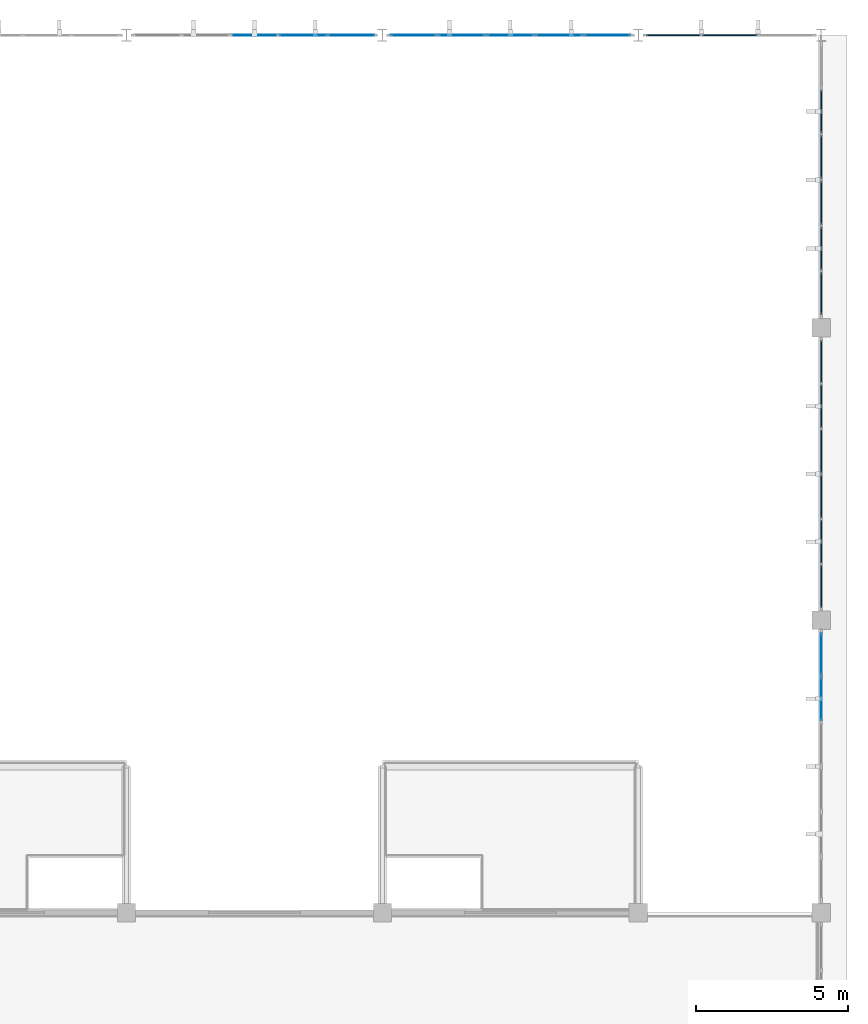
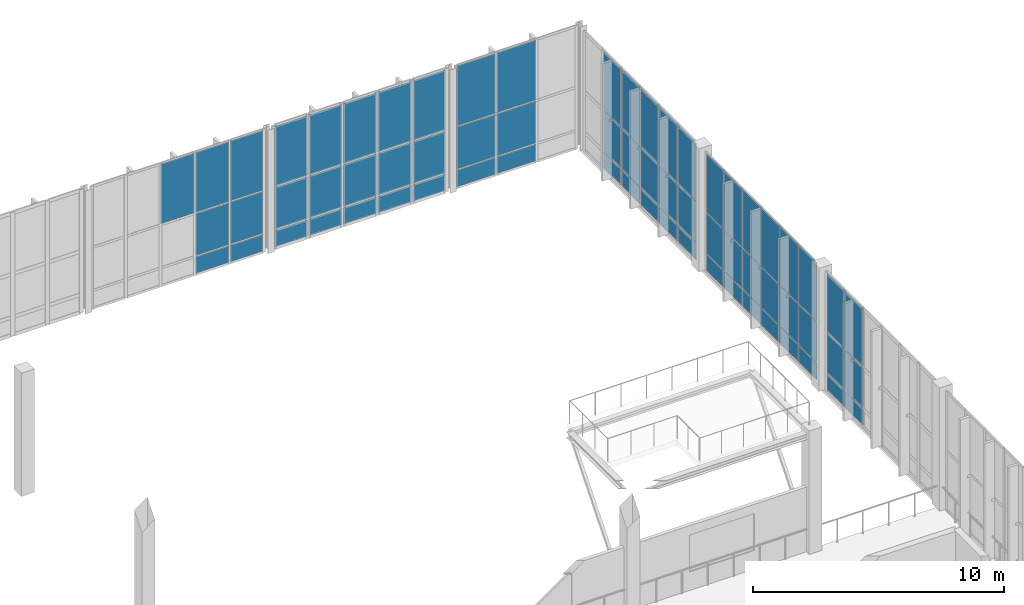
# One storey, part 68 of 105: 67 plates, 6 elements without a shape of their own.
"""IFC4 building model written with IfcOpenShell, lengths in metres."""

from ifc_helpers import new_model, si_unit, direction, frame, origin, origin_2d, place, context, subcontext, project, spatial, rectangle, extrude, material, layer, layer_set, type_object, element, aggregate, save


model = new_model("IFC4")

# Units and contexts
model_context = context("Model", 3, precision=1e-05, world=origin(), true_north=direction((0.0, 1.0)))
body_context = subcontext(model_context, "Body", "Model", "MODEL_VIEW")
ifc_project = project(units=[si_unit("LENGTHUNIT", "METRE"), si_unit("AREAUNIT", "SQUARE_METRE"), si_unit("VOLUMEUNIT", "CUBIC_METRE"), si_unit("PLANEANGLEUNIT", "RADIAN"), si_unit("MASSUNIT", "GRAM", prefix="KILO")], contexts=[model_context])

# Site, building, storey
site_placement = place(None, origin())
site = spatial("IfcSite", under=ifc_project, at=site_placement, CompositionType="ELEMENT")
building_placement = place(site_placement, origin())
building = spatial("IfcBuilding", under=site, at=building_placement, Name="Tizgana Railside Sports Hall", CompositionType="ELEMENT")
storey_placement = place(building_placement, frame((0.0, 0.0, 6.0)))
storey = spatial("IfcBuildingStorey", under=building, at=storey_placement, Name="L01", CompositionType="ELEMENT", Elevation=6.0)

# Curtain wall, plates
ifc_material_1 = material(Name="Anodised aluminium and glass", Category="aluminium")
curtain_wall_type_1 = type_object("IfcCurtainWallType", Name="Unitised Curtain Wall Passage 1800", PredefinedType="NOTDEFINED", material=ifc_material_1)
curtain_wall_1_placement = place(storey_placement, origin())
curtain_wall_1 = element("IfcCurtainWall", 1, at=curtain_wall_1_placement, inside=storey, type_object=curtain_wall_type_1, Name="L01 Curtain Wall CW-0069", PredefinedType="NOTDEFINED")
ifc_material_2 = material(Name="Double low-E laminated glass", Category="glass")
ifc_layer_1 = layer(ifc_material_2, 0.033935546875, Name="Double low-E laminated glass")
ifc_layer_set_1 = layer_set([ifc_layer_1], Name="Double low-E laminated glass")
plate_type_1 = type_object("IfcPlateType", Name="Acoustic Laminated Glazing Panel 34", PredefinedType="CURTAIN_PANEL", material=ifc_layer_set_1)
plate_1_placement = place(storey_placement, frame((172.199951171875, 109.120361328125, 0.06494140625), z_axis=(0.0, 0.0, 1.0), x_axis=(0.0, 1.0, 0.0)))
plate_1 = element("IfcPlate", 2, at=plate_1_placement, type_object=plate_type_1, Name="CW-06 panel 1.1", PredefinedType="CURTAIN_PANEL", context=body_context, shape_type="SweptSolid", body=[
    extrude(rectangle(XDim=1.40087890625, YDim=0.033935546875, at=origin_2d()), origin(), (0.0, 0.0, 1.0), 0.802490234375),
])
plate_2_placement = place(storey_placement, frame((172.199951171875, 109.120361328125, 0.932373046875), z_axis=(0.0, 0.0, 1.0), x_axis=(0.0, 1.0, 0.0)))
plate_2 = element("IfcPlate", 3, at=plate_2_placement, type_object=plate_type_1, Name="CW-06 panel 1.2", PredefinedType="CURTAIN_PANEL", context=body_context, shape_type="SweptSolid", body=[
    extrude(rectangle(XDim=1.40087890625, YDim=0.033935546875, at=origin_2d()), origin(), (0.0, 0.0, 1.0), 1.93505859375),
])
plate_3_placement = place(storey_placement, frame((172.199951171875, 109.120361328125, 2.9326171875), z_axis=(0.0, 0.0, 1.0), x_axis=(0.0, 1.0, 0.0)))
plate_3 = element("IfcPlate", 4, at=plate_3_placement, type_object=plate_type_1, Name="CW-06 panel 1.3", PredefinedType="CURTAIN_PANEL", context=body_context, shape_type="SweptSolid", body=[
    extrude(rectangle(XDim=1.40087890625, YDim=0.033935546875, at=origin_2d()), origin(), (0.0, 0.0, 1.0), 2.802490234375),
])
plate_4_placement = place(storey_placement, frame((172.199951171875, 110.6025390625, 0.06494140625), z_axis=(0.0, 0.0, 1.0), x_axis=(0.0, 1.0, 0.0)))
plate_4 = element("IfcPlate", 5, at=plate_4_placement, type_object=plate_type_1, Name="CW-06 panel 2.1", PredefinedType="CURTAIN_PANEL", context=body_context, shape_type="SweptSolid", body=[
    extrude(rectangle(XDim=1.433349609375, YDim=0.033935546875, at=origin_2d()), origin(), (0.0, 0.0, 1.0), 0.802490234375),
])
plate_5_placement = place(storey_placement, frame((172.199951171875, 110.6025390625, 0.932373046875), z_axis=(0.0, 0.0, 1.0), x_axis=(0.0, 1.0, 0.0)))
plate_5 = element("IfcPlate", 6, at=plate_5_placement, type_object=plate_type_1, Name="CW-06 panel 2.2", PredefinedType="CURTAIN_PANEL", context=body_context, shape_type="SweptSolid", body=[
    extrude(rectangle(XDim=1.433349609375, YDim=0.033935546875, at=origin_2d()), origin(), (0.0, 0.0, 1.0), 1.93505859375),
])
plate_6_placement = place(storey_placement, frame((172.199951171875, 110.6025390625, 2.9326171875), z_axis=(0.0, 0.0, 1.0), x_axis=(0.0, 1.0, 0.0)))
plate_6 = element("IfcPlate", 7, at=plate_6_placement, type_object=plate_type_1, Name="CW-06 panel 2.3", PredefinedType="CURTAIN_PANEL", context=body_context, shape_type="SweptSolid", body=[
    extrude(rectangle(XDim=1.433349609375, YDim=0.033935546875, at=origin_2d()), origin(), (0.0, 0.0, 1.0), 2.802490234375),
])
plate_7_placement = place(storey_placement, frame((172.199951171875, 112.100830078125, 0.06494140625), z_axis=(0.0, 0.0, 1.0), x_axis=(0.0, 1.0, 0.0)))
plate_7 = element("IfcPlate", 8, at=plate_7_placement, type_object=plate_type_1, Name="CW-06 panel 3.1", PredefinedType="CURTAIN_PANEL", context=body_context, shape_type="SweptSolid", body=[
    extrude(rectangle(XDim=1.433349609375, YDim=0.033935546875, at=origin_2d()), origin(), (0.0, 0.0, 1.0), 0.802490234375),
])
plate_8_placement = place(storey_placement, frame((172.199951171875, 112.100830078125, 0.932373046875), z_axis=(0.0, 0.0, 1.0), x_axis=(0.0, 1.0, 0.0)))
plate_8 = element("IfcPlate", 9, at=plate_8_placement, type_object=plate_type_1, Name="CW-06 panel 3.2", PredefinedType="CURTAIN_PANEL", context=body_context, shape_type="SweptSolid", body=[
    extrude(rectangle(XDim=1.433349609375, YDim=0.033935546875, at=origin_2d()), origin(), (0.0, 0.0, 1.0), 1.93505859375),
])
plate_9_placement = place(storey_placement, frame((172.199951171875, 112.100830078125, 2.9326171875), z_axis=(0.0, 0.0, 1.0), x_axis=(0.0, 1.0, 0.0)))
plate_9 = element("IfcPlate", 10, at=plate_9_placement, type_object=plate_type_1, Name="CW-06 panel 3.3", PredefinedType="CURTAIN_PANEL", context=body_context, shape_type="SweptSolid", body=[
    extrude(rectangle(XDim=1.433349609375, YDim=0.033935546875, at=origin_2d()), origin(), (0.0, 0.0, 1.0), 2.802490234375),
])
plate_10_placement = place(storey_placement, frame((172.199951171875, 113.59912109375, 0.06494140625), z_axis=(0.0, 0.0, 1.0), x_axis=(0.0, 1.0, 0.0)))
plate_10 = element("IfcPlate", 11, at=plate_10_placement, type_object=plate_type_1, Name="CW-06 panel 4.1", PredefinedType="CURTAIN_PANEL", context=body_context, shape_type="SweptSolid", body=[
    extrude(rectangle(XDim=1.433349609375, YDim=0.033935546875, at=origin_2d()), origin(), (0.0, 0.0, 1.0), 0.802490234375),
])
plate_11_placement = place(storey_placement, frame((172.199951171875, 113.59912109375, 0.932373046875), z_axis=(0.0, 0.0, 1.0), x_axis=(0.0, 1.0, 0.0)))
plate_11 = element("IfcPlate", 12, at=plate_11_placement, type_object=plate_type_1, Name="CW-06 panel 4.2", PredefinedType="CURTAIN_PANEL", context=body_context, shape_type="SweptSolid", body=[
    extrude(rectangle(XDim=1.433349609375, YDim=0.033935546875, at=origin_2d()), origin(), (0.0, 0.0, 1.0), 1.93505859375),
])
plate_12_placement = place(storey_placement, frame((172.199951171875, 113.59912109375, 2.9326171875), z_axis=(0.0, 0.0, 1.0), x_axis=(0.0, 1.0, 0.0)))
plate_12 = element("IfcPlate", 13, at=plate_12_placement, type_object=plate_type_1, Name="CW-06 panel 4.3", PredefinedType="CURTAIN_PANEL", context=body_context, shape_type="SweptSolid", body=[
    extrude(rectangle(XDim=1.433349609375, YDim=0.033935546875, at=origin_2d()), origin(), (0.0, 0.0, 1.0), 2.802490234375),
])
plate_13_placement = place(storey_placement, frame((172.199951171875, 115.097412109375, 0.06494140625), z_axis=(0.0, 0.0, 1.0), x_axis=(0.0, 1.0, 0.0)))
plate_13 = element("IfcPlate", 14, at=plate_13_placement, type_object=plate_type_1, Name="CW-06 panel 5.1", PredefinedType="CURTAIN_PANEL", context=body_context, shape_type="SweptSolid", body=[
    extrude(rectangle(XDim=1.433349609375, YDim=0.033935546875, at=origin_2d()), origin(), (0.0, 0.0, 1.0), 0.802490234375),
])
plate_14_placement = place(storey_placement, frame((172.199951171875, 115.097412109375, 0.932373046875), z_axis=(0.0, 0.0, 1.0), x_axis=(0.0, 1.0, 0.0)))
plate_14 = element("IfcPlate", 15, at=plate_14_placement, type_object=plate_type_1, Name="CW-06 panel 5.2", PredefinedType="CURTAIN_PANEL", context=body_context, shape_type="SweptSolid", body=[
    extrude(rectangle(XDim=1.433349609375, YDim=0.033935546875, at=origin_2d()), origin(), (0.0, 0.0, 1.0), 1.93505859375),
])
plate_15_placement = place(storey_placement, frame((172.199951171875, 115.097412109375, 2.9326171875), z_axis=(0.0, 0.0, 1.0), x_axis=(0.0, 1.0, 0.0)))
plate_15 = element("IfcPlate", 16, at=plate_15_placement, type_object=plate_type_1, Name="CW-06 panel 5.3", PredefinedType="CURTAIN_PANEL", context=body_context, shape_type="SweptSolid", body=[
    extrude(rectangle(XDim=1.433349609375, YDim=0.033935546875, at=origin_2d()), origin(), (0.0, 0.0, 1.0), 2.802490234375),
])
aggregate(curtain_wall_1, [plate_1, plate_2, plate_3, plate_4, plate_5, plate_6, plate_7, plate_8, plate_9, plate_10, plate_11, plate_12, plate_13, plate_14, plate_15])

curtain_wall_type_2 = type_object("IfcCurtainWallType", Name="Unitised Curtain Wall WestHall 1560", PredefinedType="NOTDEFINED", material=ifc_material_1)
curtain_wall_2_placement = place(storey_placement, origin())
curtain_wall_2 = element("IfcCurtainWall", 17, at=curtain_wall_2_placement, inside=storey, type_object=curtain_wall_type_2, Name="L01 Curtain Wall CW-0054", PredefinedType="NOTDEFINED")
ifc_layer_2 = layer(ifc_material_2, 0.0400390625, Name="Double low-E laminated glass")
ifc_layer_set_2 = layer_set([ifc_layer_2], Name="Double low-E laminated glass")
plate_type_2 = type_object("IfcPlateType", Name="High-Span Tempered Glazing Panel 40", PredefinedType="CURTAIN_PANEL", material=ifc_layer_set_2)
plate_16_placement = place(storey_placement, frame((167.3515625, 117.60009765625, 0.06005859375), z_axis=(0.0, 0.0, 1.0), x_axis=(1.0, 0.0, 0.0)))
plate_16 = element("IfcPlate", 18, at=plate_16_placement, type_object=plate_type_2, Name="CW-07 panel 1.1", PredefinedType="CURTAIN_PANEL", context=body_context, shape_type="SweptSolid", body=[
    extrude(rectangle(XDim=1.7734375, YDim=0.0400390625, at=origin_2d()), origin(), (0.0, 0.0, 1.0), 0.81005859375),
])
plate_17_placement = place(storey_placement, frame((167.3515625, 117.60009765625, 0.929931640625), z_axis=(0.0, 0.0, 1.0), x_axis=(1.0, 0.0, 0.0)))
plate_17 = element("IfcPlate", 19, at=plate_17_placement, type_object=plate_type_2, Name="CW-07 panel 1.2", PredefinedType="CURTAIN_PANEL", context=body_context, shape_type="SweptSolid", body=[
    extrude(rectangle(XDim=1.7734375, YDim=0.0400390625, at=origin_2d()), origin(), (0.0, 0.0, 1.0), 2.0400390625),
])
plate_18_placement = place(storey_placement, frame((167.3515625, 117.60009765625, 3.0302734375), z_axis=(0.0, 0.0, 1.0), x_axis=(1.0, 0.0, 0.0)))
plate_18 = element("IfcPlate", 20, at=plate_18_placement, type_object=plate_type_2, Name="CW-07 panel 1.3", PredefinedType="CURTAIN_PANEL", context=body_context, shape_type="SweptSolid", body=[
    extrude(rectangle(XDim=1.7734375, YDim=0.0400390625, at=origin_2d()), origin(), (0.0, 0.0, 1.0), 2.909912109375),
])
plate_19_placement = place(storey_placement, frame((169.199951171875, 117.60009765625, 0.06005859375), z_axis=(0.0, 0.0, 1.0), x_axis=(1.0, 0.0, 0.0)))
plate_19 = element("IfcPlate", 21, at=plate_19_placement, type_object=plate_type_2, Name="CW-07 panel 2.1", PredefinedType="CURTAIN_PANEL", context=body_context, shape_type="SweptSolid", body=[
    extrude(rectangle(XDim=1.80322265625, YDim=0.0400390625, at=origin_2d()), origin(), (0.0, 0.0, 1.0), 0.81005859375),
])
plate_20_placement = place(storey_placement, frame((169.199951171875, 117.60009765625, 0.929931640625), z_axis=(0.0, 0.0, 1.0), x_axis=(1.0, 0.0, 0.0)))
plate_20 = element("IfcPlate", 22, at=plate_20_placement, type_object=plate_type_2, Name="CW-07 panel 2.2", PredefinedType="CURTAIN_PANEL", context=body_context, shape_type="SweptSolid", body=[
    extrude(rectangle(XDim=1.80322265625, YDim=0.0400390625, at=origin_2d()), origin(), (0.0, 0.0, 1.0), 2.0400390625),
])
plate_21_placement = place(storey_placement, frame((169.199951171875, 117.60009765625, 3.0302734375), z_axis=(0.0, 0.0, 1.0), x_axis=(1.0, 0.0, 0.0)))
plate_21 = element("IfcPlate", 23, at=plate_21_placement, type_object=plate_type_2, Name="CW-07 panel 2.3", PredefinedType="CURTAIN_PANEL", context=body_context, shape_type="SweptSolid", body=[
    extrude(rectangle(XDim=1.80322265625, YDim=0.0400390625, at=origin_2d()), origin(), (0.0, 0.0, 1.0), 2.909912109375),
])
aggregate(curtain_wall_2, [plate_16, plate_17, plate_18, plate_19, plate_20, plate_21])

curtain_wall_type_3 = type_object("IfcCurtainWallType", Name="Unitised Curtain Wall Studio 1400", PredefinedType="NOTDEFINED", material=ifc_material_1)
curtain_wall_3_placement = place(storey_placement, origin())
curtain_wall_3 = element("IfcCurtainWall", 24, at=curtain_wall_3_placement, inside=storey, type_object=curtain_wall_type_3, Name="L01 Curtain Wall CW-0066", PredefinedType="NOTDEFINED")
plate_22_placement = place(storey_placement, frame((172.199951171875, 99.5107421875, 0.06005859375), z_axis=(0.0, 0.0, 1.0), x_axis=(0.0, 1.0, 0.0)))
plate_22 = element("IfcPlate", 25, at=plate_22_placement, type_object=plate_type_2, Name="CW-03 panel 1.1", PredefinedType="CURTAIN_PANEL", context=body_context, shape_type="SweptSolid", body=[
    extrude(rectangle(XDim=1.3916015625, YDim=0.0400390625, at=origin_2d()), origin(), (0.0, 0.0, 1.0), 0.81005859375),
])
plate_23_placement = place(storey_placement, frame((172.199951171875, 99.5107421875, 0.929931640625), z_axis=(0.0, 0.0, 1.0), x_axis=(0.0, 1.0, 0.0)))
plate_23 = element("IfcPlate", 26, at=plate_23_placement, type_object=plate_type_2, Name="CW-03 panel 1.2", PredefinedType="CURTAIN_PANEL", context=body_context, shape_type="SweptSolid", body=[
    extrude(rectangle(XDim=1.3916015625, YDim=0.0400390625, at=origin_2d()), origin(), (0.0, 0.0, 1.0), 1.93994140625),
])
plate_24_placement = place(storey_placement, frame((172.199951171875, 99.5107421875, 2.929931640625), z_axis=(0.0, 0.0, 1.0), x_axis=(0.0, 1.0, 0.0)))
plate_24 = element("IfcPlate", 27, at=plate_24_placement, type_object=plate_type_2, Name="CW-03 panel 1.3", PredefinedType="CURTAIN_PANEL", context=body_context, shape_type="SweptSolid", body=[
    extrude(rectangle(XDim=1.3916015625, YDim=0.0400390625, at=origin_2d()), origin(), (0.0, 0.0, 1.0), 2.81005859375),
])
plate_25_placement = place(storey_placement, frame((172.199951171875, 100.9775390625, 0.06005859375), z_axis=(0.0, 0.0, 1.0), x_axis=(0.0, 1.0, 0.0)))
plate_25 = element("IfcPlate", 28, at=plate_25_placement, type_object=plate_type_2, Name="CW-03 panel 2.1", PredefinedType="CURTAIN_PANEL", context=body_context, shape_type="SweptSolid", body=[
    extrude(rectangle(XDim=1.421630859375, YDim=0.0400390625, at=origin_2d()), origin(), (0.0, 0.0, 1.0), 0.81005859375),
])
plate_26_placement = place(storey_placement, frame((172.199951171875, 100.9775390625, 0.929931640625), z_axis=(0.0, 0.0, 1.0), x_axis=(0.0, 1.0, 0.0)))
plate_26 = element("IfcPlate", 29, at=plate_26_placement, type_object=plate_type_2, Name="CW-03 panel 2.2", PredefinedType="CURTAIN_PANEL", context=body_context, shape_type="SweptSolid", body=[
    extrude(rectangle(XDim=1.421630859375, YDim=0.0400390625, at=origin_2d()), origin(), (0.0, 0.0, 1.0), 1.93994140625),
])
plate_27_placement = place(storey_placement, frame((172.199951171875, 100.9775390625, 2.929931640625), z_axis=(0.0, 0.0, 1.0), x_axis=(0.0, 1.0, 0.0)))
plate_27 = element("IfcPlate", 30, at=plate_27_placement, type_object=plate_type_2, Name="CW-03 panel 2.3", PredefinedType="CURTAIN_PANEL", context=body_context, shape_type="SweptSolid", body=[
    extrude(rectangle(XDim=1.421630859375, YDim=0.0400390625, at=origin_2d()), origin(), (0.0, 0.0, 1.0), 2.81005859375),
])
plate_28_placement = place(storey_placement, frame((172.199951171875, 102.459228515625, 0.06005859375), z_axis=(0.0, 0.0, 1.0), x_axis=(0.0, 1.0, 0.0)))
plate_28 = element("IfcPlate", 31, at=plate_28_placement, type_object=plate_type_2, Name="CW-03 panel 3.1", PredefinedType="CURTAIN_PANEL", context=body_context, shape_type="SweptSolid", body=[
    extrude(rectangle(XDim=1.421630859375, YDim=0.0400390625, at=origin_2d()), origin(), (0.0, 0.0, 1.0), 0.81005859375),
])
plate_29_placement = place(storey_placement, frame((172.199951171875, 102.459228515625, 0.929931640625), z_axis=(0.0, 0.0, 1.0), x_axis=(0.0, 1.0, 0.0)))
plate_29 = element("IfcPlate", 32, at=plate_29_placement, type_object=plate_type_2, Name="CW-03 panel 3.2", PredefinedType="CURTAIN_PANEL", context=body_context, shape_type="SweptSolid", body=[
    extrude(rectangle(XDim=1.421630859375, YDim=0.0400390625, at=origin_2d()), origin(), (0.0, 0.0, 1.0), 1.93994140625),
])
plate_30_placement = place(storey_placement, frame((172.199951171875, 102.459228515625, 2.929931640625), z_axis=(0.0, 0.0, 1.0), x_axis=(0.0, 1.0, 0.0)))
plate_30 = element("IfcPlate", 33, at=plate_30_placement, type_object=plate_type_2, Name="CW-03 panel 3.3", PredefinedType="CURTAIN_PANEL", context=body_context, shape_type="SweptSolid", body=[
    extrude(rectangle(XDim=1.421630859375, YDim=0.0400390625, at=origin_2d()), origin(), (0.0, 0.0, 1.0), 2.81005859375),
])
plate_31_placement = place(storey_placement, frame((172.199951171875, 103.94091796875, 0.06005859375), z_axis=(0.0, 0.0, 1.0), x_axis=(0.0, 1.0, 0.0)))
plate_31 = element("IfcPlate", 34, at=plate_31_placement, type_object=plate_type_2, Name="CW-03 panel 4.1", PredefinedType="CURTAIN_PANEL", context=body_context, shape_type="SweptSolid", body=[
    extrude(rectangle(XDim=1.421630859375, YDim=0.0400390625, at=origin_2d()), origin(), (0.0, 0.0, 1.0), 0.81005859375),
])
plate_32_placement = place(storey_placement, frame((172.199951171875, 103.94091796875, 0.929931640625), z_axis=(0.0, 0.0, 1.0), x_axis=(0.0, 1.0, 0.0)))
plate_32 = element("IfcPlate", 35, at=plate_32_placement, type_object=plate_type_2, Name="CW-03 panel 4.2", PredefinedType="CURTAIN_PANEL", context=body_context, shape_type="SweptSolid", body=[
    extrude(rectangle(XDim=1.421630859375, YDim=0.0400390625, at=origin_2d()), origin(), (0.0, 0.0, 1.0), 1.93994140625),
])
plate_33_placement = place(storey_placement, frame((172.199951171875, 103.94091796875, 2.929931640625), z_axis=(0.0, 0.0, 1.0), x_axis=(0.0, 1.0, 0.0)))
plate_33 = element("IfcPlate", 36, at=plate_33_placement, type_object=plate_type_2, Name="CW-03 panel 4.3", PredefinedType="CURTAIN_PANEL", context=body_context, shape_type="SweptSolid", body=[
    extrude(rectangle(XDim=1.421630859375, YDim=0.0400390625, at=origin_2d()), origin(), (0.0, 0.0, 1.0), 2.81005859375),
])
plate_34_placement = place(storey_placement, frame((172.199951171875, 105.422607421875, 0.06005859375), z_axis=(0.0, 0.0, 1.0), x_axis=(0.0, 1.0, 0.0)))
plate_34 = element("IfcPlate", 37, at=plate_34_placement, type_object=plate_type_2, Name="CW-03 panel 5.1", PredefinedType="CURTAIN_PANEL", context=body_context, shape_type="SweptSolid", body=[
    extrude(rectangle(XDim=1.421630859375, YDim=0.0400390625, at=origin_2d()), origin(), (0.0, 0.0, 1.0), 0.81005859375),
])
plate_35_placement = place(storey_placement, frame((172.199951171875, 105.422607421875, 0.929931640625), z_axis=(0.0, 0.0, 1.0), x_axis=(0.0, 1.0, 0.0)))
plate_35 = element("IfcPlate", 38, at=plate_35_placement, type_object=plate_type_2, Name="CW-03 panel 5.2", PredefinedType="CURTAIN_PANEL", context=body_context, shape_type="SweptSolid", body=[
    extrude(rectangle(XDim=1.421630859375, YDim=0.0400390625, at=origin_2d()), origin(), (0.0, 0.0, 1.0), 1.93994140625),
])
plate_36_placement = place(storey_placement, frame((172.199951171875, 105.422607421875, 2.929931640625), z_axis=(0.0, 0.0, 1.0), x_axis=(0.0, 1.0, 0.0)))
plate_36 = element("IfcPlate", 39, at=plate_36_placement, type_object=plate_type_2, Name="CW-03 panel 5.3", PredefinedType="CURTAIN_PANEL", context=body_context, shape_type="SweptSolid", body=[
    extrude(rectangle(XDim=1.421630859375, YDim=0.0400390625, at=origin_2d()), origin(), (0.0, 0.0, 1.0), 2.81005859375),
])
plate_37_placement = place(storey_placement, frame((172.199951171875, 106.88916015625, 0.06005859375), z_axis=(0.0, 0.0, 1.0), x_axis=(0.0, 1.0, 0.0)))
plate_37 = element("IfcPlate", 40, at=plate_37_placement, type_object=plate_type_2, Name="CW-03 panel 6.1", PredefinedType="CURTAIN_PANEL", context=body_context, shape_type="SweptSolid", body=[
    extrude(rectangle(XDim=1.3916015625, YDim=0.0400390625, at=origin_2d()), origin(), (0.0, 0.0, 1.0), 0.81005859375),
])
plate_38_placement = place(storey_placement, frame((172.199951171875, 106.88916015625, 0.929931640625), z_axis=(0.0, 0.0, 1.0), x_axis=(0.0, 1.0, 0.0)))
plate_38 = element("IfcPlate", 41, at=plate_38_placement, type_object=plate_type_2, Name="CW-03 panel 6.2", PredefinedType="CURTAIN_PANEL", context=body_context, shape_type="SweptSolid", body=[
    extrude(rectangle(XDim=1.3916015625, YDim=0.0400390625, at=origin_2d()), origin(), (0.0, 0.0, 1.0), 1.93994140625),
])
plate_39_placement = place(storey_placement, frame((172.199951171875, 106.88916015625, 2.929931640625), z_axis=(0.0, 0.0, 1.0), x_axis=(0.0, 1.0, 0.0)))
plate_39 = element("IfcPlate", 42, at=plate_39_placement, type_object=plate_type_2, Name="CW-03 panel 6.3", PredefinedType="CURTAIN_PANEL", context=body_context, shape_type="SweptSolid", body=[
    extrude(rectangle(XDim=1.3916015625, YDim=0.0400390625, at=origin_2d()), origin(), (0.0, 0.0, 1.0), 2.81005859375),
])
aggregate(curtain_wall_3, [plate_22, plate_23, plate_24, plate_25, plate_26, plate_27, plate_28, plate_29, plate_30, plate_31, plate_32, plate_33, plate_34, plate_35, plate_36, plate_37, plate_38, plate_39])

curtain_wall_type_4 = type_object("IfcCurtainWallType", Name="Unitised Curtain Wall Climbing 1600", PredefinedType="NOTDEFINED", material=ifc_material_1)
curtain_wall_4_placement = place(storey_placement, origin())
curtain_wall_4 = element("IfcCurtainWall", 43, at=curtain_wall_4_placement, inside=storey, type_object=curtain_wall_type_4, Name="L01 Curtain Wall CW-0051", PredefinedType="NOTDEFINED")
ifc_layer_3 = layer(ifc_material_2, 0.031982421875, Name="Double low-E laminated glass")
ifc_layer_set_3 = layer_set([ifc_layer_3], Name="Double low-E laminated glass")
plate_type_3 = type_object("IfcPlateType", Name="North-Light Clerestory Glazing Panel 32", PredefinedType="CURTAIN_PANEL", material=ifc_layer_set_3)
plate_40_placement = place(storey_placement, frame((158.8203125, 117.60009765625, 0.06494140625), z_axis=(0.0, 0.0, 1.0), x_axis=(1.0, 0.0, 0.0)))
plate_40 = element("IfcPlate", 44, at=plate_40_placement, type_object=plate_type_3, Name="CW-04 panel 1.1", PredefinedType="CURTAIN_PANEL", context=body_context, shape_type="SweptSolid", body=[
    extrude(rectangle(XDim=1.50048828125, YDim=0.031982421875, at=origin_2d()), origin(), (0.0, 0.0, 1.0), 0.802490234375),
])
plate_41_placement = place(storey_placement, frame((158.8203125, 117.60009765625, 0.9326171875), z_axis=(0.0, 0.0, 1.0), x_axis=(1.0, 0.0, 0.0)))
plate_41 = element("IfcPlate", 45, at=plate_41_placement, type_object=plate_type_3, Name="CW-04 panel 1.2", PredefinedType="CURTAIN_PANEL", context=body_context, shape_type="SweptSolid", body=[
    extrude(rectangle(XDim=1.50048828125, YDim=0.031982421875, at=origin_2d()), origin(), (0.0, 0.0, 1.0), 2.034912109375),
])
plate_42_placement = place(storey_placement, frame((158.8203125, 117.60009765625, 3.0322265625), z_axis=(0.0, 0.0, 1.0), x_axis=(1.0, 0.0, 0.0)))
plate_42 = element("IfcPlate", 46, at=plate_42_placement, type_object=plate_type_3, Name="CW-04 panel 1.3", PredefinedType="CURTAIN_PANEL", context=body_context, shape_type="SweptSolid", body=[
    extrude(rectangle(XDim=1.50048828125, YDim=0.031982421875, at=origin_2d()), origin(), (0.0, 0.0, 1.0), 2.902587890625),
])
plate_43_placement = place(storey_placement, frame((160.402099609375, 117.60009765625, 0.06494140625), z_axis=(0.0, 0.0, 1.0), x_axis=(1.0, 0.0, 0.0)))
plate_43 = element("IfcPlate", 47, at=plate_43_placement, type_object=plate_type_3, Name="CW-04 panel 2.1", PredefinedType="CURTAIN_PANEL", context=body_context, shape_type="SweptSolid", body=[
    extrude(rectangle(XDim=1.532958984375, YDim=0.031982421875, at=origin_2d()), origin(), (0.0, 0.0, 1.0), 0.802490234375),
])
plate_44_placement = place(storey_placement, frame((160.402099609375, 117.60009765625, 0.9326171875), z_axis=(0.0, 0.0, 1.0), x_axis=(1.0, 0.0, 0.0)))
plate_44 = element("IfcPlate", 48, at=plate_44_placement, type_object=plate_type_3, Name="CW-04 panel 2.2", PredefinedType="CURTAIN_PANEL", context=body_context, shape_type="SweptSolid", body=[
    extrude(rectangle(XDim=1.532958984375, YDim=0.031982421875, at=origin_2d()), origin(), (0.0, 0.0, 1.0), 2.034912109375),
])
plate_45_placement = place(storey_placement, frame((160.402099609375, 117.60009765625, 3.0322265625), z_axis=(0.0, 0.0, 1.0), x_axis=(1.0, 0.0, 0.0)))
plate_45 = element("IfcPlate", 49, at=plate_45_placement, type_object=plate_type_3, Name="CW-04 panel 2.3", PredefinedType="CURTAIN_PANEL", context=body_context, shape_type="SweptSolid", body=[
    extrude(rectangle(XDim=1.532958984375, YDim=0.031982421875, at=origin_2d()), origin(), (0.0, 0.0, 1.0), 2.902587890625),
])
plate_46_placement = place(storey_placement, frame((162.0, 117.60009765625, 0.06494140625), z_axis=(0.0, 0.0, 1.0), x_axis=(1.0, 0.0, 0.0)))
plate_46 = element("IfcPlate", 50, at=plate_46_placement, type_object=plate_type_3, Name="CW-04 panel 3.1", PredefinedType="CURTAIN_PANEL", context=body_context, shape_type="SweptSolid", body=[
    extrude(rectangle(XDim=1.532958984375, YDim=0.031982421875, at=origin_2d()), origin(), (0.0, 0.0, 1.0), 0.802490234375),
])
plate_47_placement = place(storey_placement, frame((162.0, 117.60009765625, 0.9326171875), z_axis=(0.0, 0.0, 1.0), x_axis=(1.0, 0.0, 0.0)))
plate_47 = element("IfcPlate", 51, at=plate_47_placement, type_object=plate_type_3, Name="CW-04 panel 3.2", PredefinedType="CURTAIN_PANEL", context=body_context, shape_type="SweptSolid", body=[
    extrude(rectangle(XDim=1.532958984375, YDim=0.031982421875, at=origin_2d()), origin(), (0.0, 0.0, 1.0), 2.034912109375),
])
plate_48_placement = place(storey_placement, frame((162.0, 117.60009765625, 3.0322265625), z_axis=(0.0, 0.0, 1.0), x_axis=(1.0, 0.0, 0.0)))
plate_48 = element("IfcPlate", 52, at=plate_48_placement, type_object=plate_type_3, Name="CW-04 panel 3.3", PredefinedType="CURTAIN_PANEL", context=body_context, shape_type="SweptSolid", body=[
    extrude(rectangle(XDim=1.532958984375, YDim=0.031982421875, at=origin_2d()), origin(), (0.0, 0.0, 1.0), 2.902587890625),
])
plate_49_placement = place(storey_placement, frame((163.597900390625, 117.60009765625, 0.06494140625), z_axis=(0.0, 0.0, 1.0), x_axis=(1.0, 0.0, 0.0)))
plate_49 = element("IfcPlate", 53, at=plate_49_placement, type_object=plate_type_3, Name="CW-04 panel 4.1", PredefinedType="CURTAIN_PANEL", context=body_context, shape_type="SweptSolid", body=[
    extrude(rectangle(XDim=1.532958984375, YDim=0.031982421875, at=origin_2d()), origin(), (0.0, 0.0, 1.0), 0.802490234375),
])
plate_50_placement = place(storey_placement, frame((163.597900390625, 117.60009765625, 0.9326171875), z_axis=(0.0, 0.0, 1.0), x_axis=(1.0, 0.0, 0.0)))
plate_50 = element("IfcPlate", 54, at=plate_50_placement, type_object=plate_type_3, Name="CW-04 panel 4.2", PredefinedType="CURTAIN_PANEL", context=body_context, shape_type="SweptSolid", body=[
    extrude(rectangle(XDim=1.532958984375, YDim=0.031982421875, at=origin_2d()), origin(), (0.0, 0.0, 1.0), 2.034912109375),
])
plate_51_placement = place(storey_placement, frame((163.597900390625, 117.60009765625, 3.0322265625), z_axis=(0.0, 0.0, 1.0), x_axis=(1.0, 0.0, 0.0)))
plate_51 = element("IfcPlate", 55, at=plate_51_placement, type_object=plate_type_3, Name="CW-04 panel 4.3", PredefinedType="CURTAIN_PANEL", context=body_context, shape_type="SweptSolid", body=[
    extrude(rectangle(XDim=1.532958984375, YDim=0.031982421875, at=origin_2d()), origin(), (0.0, 0.0, 1.0), 2.902587890625),
])
plate_52_placement = place(storey_placement, frame((165.1796875, 117.60009765625, 0.06494140625), z_axis=(0.0, 0.0, 1.0), x_axis=(1.0, 0.0, 0.0)))
plate_52 = element("IfcPlate", 56, at=plate_52_placement, type_object=plate_type_3, Name="CW-04 panel 5.1", PredefinedType="CURTAIN_PANEL", context=body_context, shape_type="SweptSolid", body=[
    extrude(rectangle(XDim=1.50048828125, YDim=0.031982421875, at=origin_2d()), origin(), (0.0, 0.0, 1.0), 0.802490234375),
])
plate_53_placement = place(storey_placement, frame((165.1796875, 117.60009765625, 0.9326171875), z_axis=(0.0, 0.0, 1.0), x_axis=(1.0, 0.0, 0.0)))
plate_53 = element("IfcPlate", 57, at=plate_53_placement, type_object=plate_type_3, Name="CW-04 panel 5.2", PredefinedType="CURTAIN_PANEL", context=body_context, shape_type="SweptSolid", body=[
    extrude(rectangle(XDim=1.50048828125, YDim=0.031982421875, at=origin_2d()), origin(), (0.0, 0.0, 1.0), 2.034912109375),
])
plate_54_placement = place(storey_placement, frame((165.1796875, 117.60009765625, 3.0322265625), z_axis=(0.0, 0.0, 1.0), x_axis=(1.0, 0.0, 0.0)))
plate_54 = element("IfcPlate", 58, at=plate_54_placement, type_object=plate_type_3, Name="CW-04 panel 5.3", PredefinedType="CURTAIN_PANEL", context=body_context, shape_type="SweptSolid", body=[
    extrude(rectangle(XDim=1.50048828125, YDim=0.031982421875, at=origin_2d()), origin(), (0.0, 0.0, 1.0), 2.902587890625),
])
aggregate(curtain_wall_4, [plate_40, plate_41, plate_42, plate_43, plate_44, plate_45, plate_46, plate_47, plate_48, plate_49, plate_50, plate_51, plate_52, plate_53, plate_54])

curtain_wall_type_5 = type_object("IfcCurtainWallType", Name="Unitised Curtain Wall EastHall 1500", PredefinedType="NOTDEFINED", material=ifc_material_1)
curtain_wall_5_placement = place(storey_placement, origin())
curtain_wall_5 = element("IfcCurtainWall", 59, at=curtain_wall_5_placement, inside=storey, type_object=curtain_wall_type_5, Name="L01 Curtain Wall CW-0063", PredefinedType="NOTDEFINED")
plate_55_placement = place(storey_placement, frame((172.199951171875, 95.822509765625, 0.06494140625), z_axis=(0.0, 0.0, 1.0), x_axis=(0.0, 1.0, 0.0)))
plate_55 = element("IfcPlate", 60, at=plate_55_placement, type_object=plate_type_3, Name="CW-08 panel 5.1", PredefinedType="CURTAIN_PANEL", context=body_context, shape_type="SweptSolid", body=[
    extrude(rectangle(XDim=1.416748046875, YDim=0.031982421875, at=origin_2d()), origin(), (0.0, 0.0, 1.0), 0.802490234375),
])
plate_56_placement = place(storey_placement, frame((172.199951171875, 95.822509765625, 0.932373046875), z_axis=(0.0, 0.0, 1.0), x_axis=(0.0, 1.0, 0.0)))
plate_56 = element("IfcPlate", 61, at=plate_56_placement, type_object=plate_type_3, Name="CW-08 panel 5.2", PredefinedType="CURTAIN_PANEL", context=body_context, shape_type="SweptSolid", body=[
    extrude(rectangle(XDim=1.416748046875, YDim=0.031982421875, at=origin_2d()), origin(), (0.0, 0.0, 1.0), 1.93505859375),
])
plate_57_placement = place(storey_placement, frame((172.199951171875, 95.822509765625, 2.9326171875), z_axis=(0.0, 0.0, 1.0), x_axis=(0.0, 1.0, 0.0)))
plate_57 = element("IfcPlate", 62, at=plate_57_placement, type_object=plate_type_3, Name="CW-08 panel 5.3", PredefinedType="CURTAIN_PANEL", context=body_context, shape_type="SweptSolid", body=[
    extrude(rectangle(XDim=1.416748046875, YDim=0.031982421875, at=origin_2d()), origin(), (0.0, 0.0, 1.0), 2.802490234375),
])
plate_58_placement = place(storey_placement, frame((172.199951171875, 97.287841796875, 0.06494140625), z_axis=(0.0, 0.0, 1.0), x_axis=(0.0, 1.0, 0.0)))
plate_58 = element("IfcPlate", 63, at=plate_58_placement, type_object=plate_type_3, Name="CW-08 panel 6.1", PredefinedType="CURTAIN_PANEL", context=body_context, shape_type="SweptSolid", body=[
    extrude(rectangle(XDim=1.38427734375, YDim=0.031982421875, at=origin_2d()), origin(), (0.0, 0.0, 1.0), 0.802490234375),
])
plate_59_placement = place(storey_placement, frame((172.199951171875, 97.287841796875, 0.932373046875), z_axis=(0.0, 0.0, 1.0), x_axis=(0.0, 1.0, 0.0)))
plate_59 = element("IfcPlate", 64, at=plate_59_placement, type_object=plate_type_3, Name="CW-08 panel 6.2", PredefinedType="CURTAIN_PANEL", context=body_context, shape_type="SweptSolid", body=[
    extrude(rectangle(XDim=1.38427734375, YDim=0.031982421875, at=origin_2d()), origin(), (0.0, 0.0, 1.0), 1.93505859375),
])
plate_60_placement = place(storey_placement, frame((172.199951171875, 97.287841796875, 2.9326171875), z_axis=(0.0, 0.0, 1.0), x_axis=(0.0, 1.0, 0.0)))
plate_60 = element("IfcPlate", 65, at=plate_60_placement, type_object=plate_type_3, Name="CW-08 panel 6.3", PredefinedType="CURTAIN_PANEL", context=body_context, shape_type="SweptSolid", body=[
    extrude(rectangle(XDim=1.38427734375, YDim=0.031982421875, at=origin_2d()), origin(), (0.0, 0.0, 1.0), 2.802490234375),
])
aggregate(curtain_wall_5, [plate_55, plate_56, plate_57, plate_58, plate_59, plate_60])

curtain_wall_type_6 = type_object("IfcCurtainWallType", Name="Unitised Curtain Wall Concourse 1500", PredefinedType="NOTDEFINED", material=ifc_material_1)
curtain_wall_6_placement = place(storey_placement, origin())
curtain_wall_6 = element("IfcCurtainWall", 66, at=curtain_wall_6_placement, inside=storey, type_object=curtain_wall_type_6, Name="L01 Curtain Wall CW-0048", PredefinedType="NOTDEFINED")
ifc_layer_4 = layer(ifc_material_2, 0.028076171875, Name="Double low-E laminated glass")
ifc_layer_set_4 = layer_set([ifc_layer_4], Name="Double low-E laminated glass")
plate_type_4 = type_object("IfcPlateType", Name="Solar Low-E Glazing Panel 28", PredefinedType="CURTAIN_PANEL", material=ifc_layer_set_4)
plate_61_placement = place(storey_placement, frame((153.60009765625, 117.60009765625, 3.0302734375), z_axis=(0.0, 0.0, 1.0), x_axis=(1.0, 0.0, 0.0)))
plate_61 = element("IfcPlate", 67, at=plate_61_placement, type_object=plate_type_4, Name="CW-01 panel 3.3", PredefinedType="CURTAIN_PANEL", context=body_context, shape_type="SweptSolid", body=[
    extrude(rectangle(XDim=1.5380859375, YDim=0.028076171875, at=origin_2d()), origin(), (0.0, 0.0, 1.0), 2.909912109375),
])
plate_62_placement = place(storey_placement, frame((155.197998046875, 117.60009765625, 0.06005859375), z_axis=(0.0, 0.0, 1.0), x_axis=(1.0, 0.0, 0.0)))
plate_62 = element("IfcPlate", 68, at=plate_62_placement, type_object=plate_type_4, Name="CW-01 panel 4.1", PredefinedType="CURTAIN_PANEL", context=body_context, shape_type="SweptSolid", body=[
    extrude(rectangle(XDim=1.5380859375, YDim=0.028076171875, at=origin_2d()), origin(), (0.0, 0.0, 1.0), 0.81005859375),
])
plate_63_placement = place(storey_placement, frame((155.197998046875, 117.60009765625, 0.929931640625), z_axis=(0.0, 0.0, 1.0), x_axis=(1.0, 0.0, 0.0)))
plate_63 = element("IfcPlate", 69, at=plate_63_placement, type_object=plate_type_4, Name="CW-01 panel 4.2", PredefinedType="CURTAIN_PANEL", context=body_context, shape_type="SweptSolid", body=[
    extrude(rectangle(XDim=1.5380859375, YDim=0.028076171875, at=origin_2d()), origin(), (0.0, 0.0, 1.0), 2.0400390625),
])
plate_64_placement = place(storey_placement, frame((155.197998046875, 117.60009765625, 3.0302734375), z_axis=(0.0, 0.0, 1.0), x_axis=(1.0, 0.0, 0.0)))
plate_64 = element("IfcPlate", 70, at=plate_64_placement, type_object=plate_type_4, Name="CW-01 panel 4.3", PredefinedType="CURTAIN_PANEL", context=body_context, shape_type="SweptSolid", body=[
    extrude(rectangle(XDim=1.5380859375, YDim=0.028076171875, at=origin_2d()), origin(), (0.0, 0.0, 1.0), 2.909912109375),
])
plate_65_placement = place(storey_placement, frame((156.781005859375, 117.60009765625, 0.06005859375), z_axis=(0.0, 0.0, 1.0), x_axis=(1.0, 0.0, 0.0)))
plate_65 = element("IfcPlate", 71, at=plate_65_placement, type_object=plate_type_4, Name="CW-01 panel 5.1", PredefinedType="CURTAIN_PANEL", context=body_context, shape_type="SweptSolid", body=[
    extrude(rectangle(XDim=1.508056640625, YDim=0.028076171875, at=origin_2d()), origin(), (0.0, 0.0, 1.0), 0.81005859375),
])
plate_66_placement = place(storey_placement, frame((156.781005859375, 117.60009765625, 0.929931640625), z_axis=(0.0, 0.0, 1.0), x_axis=(1.0, 0.0, 0.0)))
plate_66 = element("IfcPlate", 72, at=plate_66_placement, type_object=plate_type_4, Name="CW-01 panel 5.2", PredefinedType="CURTAIN_PANEL", context=body_context, shape_type="SweptSolid", body=[
    extrude(rectangle(XDim=1.508056640625, YDim=0.028076171875, at=origin_2d()), origin(), (0.0, 0.0, 1.0), 2.0400390625),
])
plate_67_placement = place(storey_placement, frame((156.781005859375, 117.60009765625, 3.0302734375), z_axis=(0.0, 0.0, 1.0), x_axis=(1.0, 0.0, 0.0)))
plate_67 = element("IfcPlate", 73, at=plate_67_placement, type_object=plate_type_4, Name="CW-01 panel 5.3", PredefinedType="CURTAIN_PANEL", context=body_context, shape_type="SweptSolid", body=[
    extrude(rectangle(XDim=1.508056640625, YDim=0.028076171875, at=origin_2d()), origin(), (0.0, 0.0, 1.0), 2.909912109375),
])
aggregate(curtain_wall_6, [plate_61, plate_62, plate_63, plate_64, plate_65, plate_66, plate_67])

save(model, "model.ifc")
